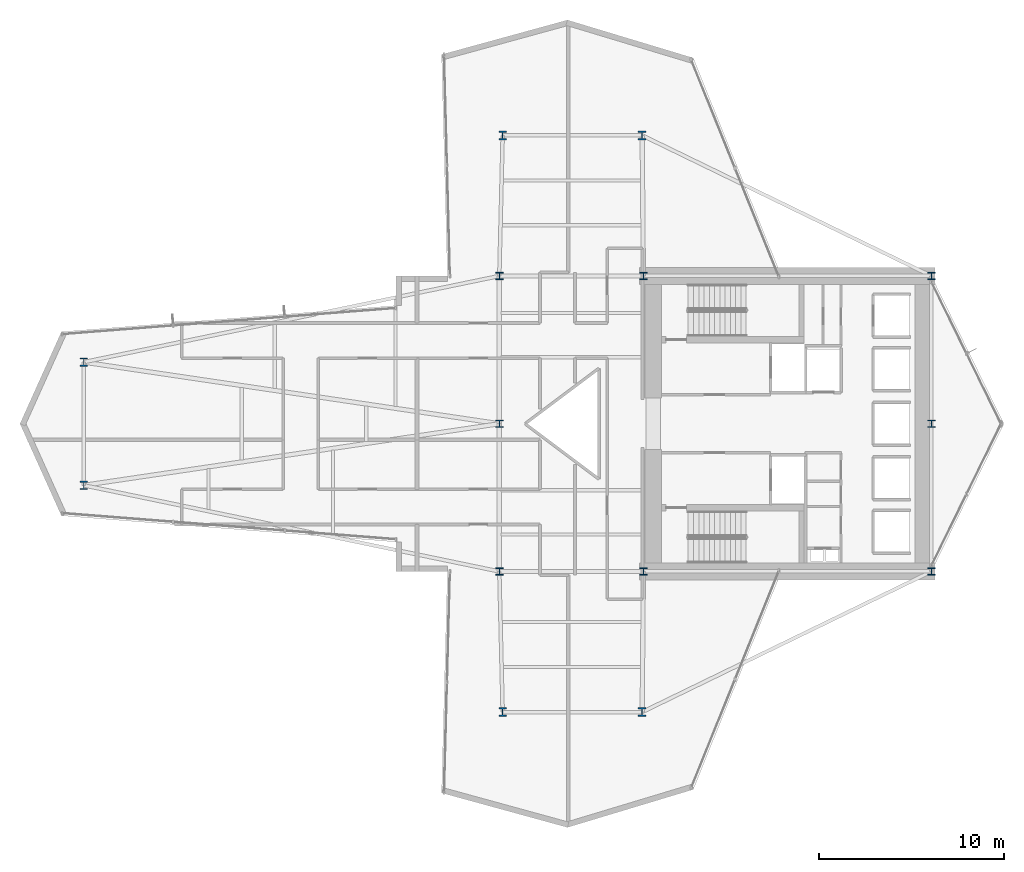
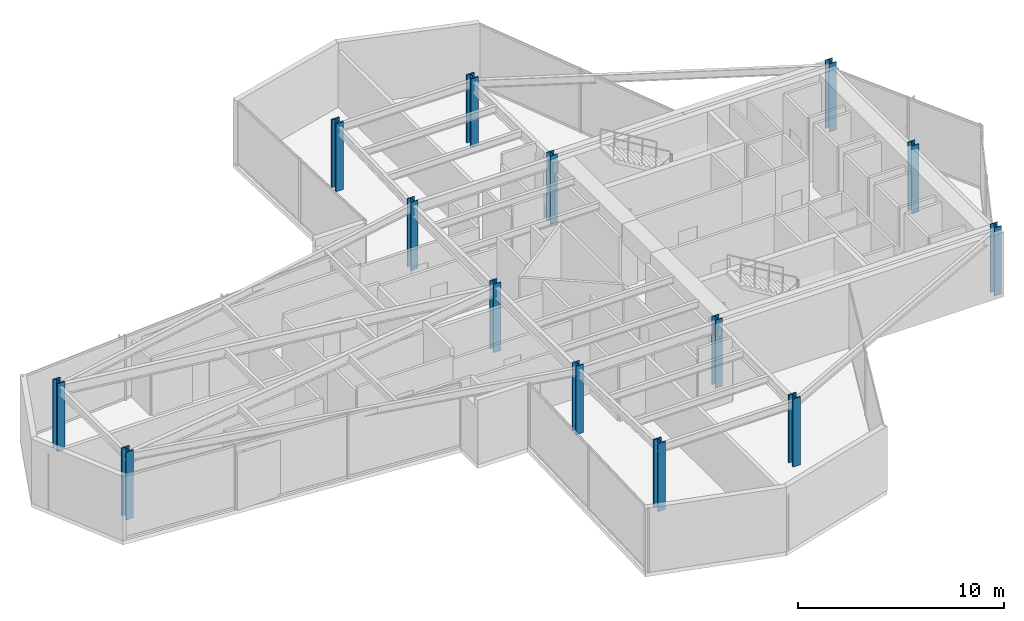
# One storey, part 1 of 30: 14 columns.
"""IFC4 building model written with IfcOpenShell, lengths in metres."""

import ifcopenshell
import ifcopenshell.guid

model = None  # the IFC model being written
_history = None  # IfcOwnerHistory: only IFC2X3 demands one
_inside = {}  # id of a spatial element -> (the spatial element, [elements in it])
_under = {}  # id of a project, library or spatial element -> (it, [spatial elements below it])
_declared = {}  # id of a project -> (the project, [libraries it declares])
_typed = {}  # id of a type object -> (the type object, [elements of that type])
_made_of = {}  # id of a material, layer set ... -> (it, [elements and type objects made of it])


def new_model(schema):
    """Start an empty IFC model of exactly this schema.

    Asked for "IFC4X3", IfcOpenShell would pick the latest addendum, in which some entities
    have other attributes; the version numbers below select the first issue.
    IFC2X3 requires an IfcOwnerHistory on every rooted entity: one is made here for all.
    """
    global model, _history
    if schema == "IFC4X3":
        model = ifcopenshell.file(schema_version=(4, 3, 0, 0))
    else:
        model = ifcopenshell.file(schema=schema)
    _inside.clear()
    _under.clear()
    _declared.clear()
    _typed.clear()
    _made_of.clear()
    _history = None
    if model.schema == "IFC2X3":
        org = make("IfcOrganization", Name="unknown")
        user = make(
            "IfcPersonAndOrganization",
            ThePerson=make("IfcPerson", FamilyName="unknown"),
            TheOrganization=org,
        )
        app = make(
            "IfcApplication",
            ApplicationDeveloper=org,
            Version="unknown",
            ApplicationFullName="unknown",
            ApplicationIdentifier="unknown",
        )
        _history = make(
            "IfcOwnerHistory",
            OwningUser=user,
            OwningApplication=app,
            ChangeAction="ADDED",
            CreationDate=0,
        )
    return model


def make(cls, **values):
    """One entity of the class cls with the attributes given. An attribute that is None is left unset."""
    return model.create_entity(
        cls, **{name: value for name, value in values.items() if value is not None}
    )


def rooted(cls, **values):
    """An entity with a GlobalId (a new one), such as an element, a storey or a relation."""
    return make(cls, GlobalId=ifcopenshell.guid.new(), OwnerHistory=_history, **values)


def si_unit(unit_type, name, prefix=None):
    """IfcSIUnit, for example si_unit("LENGTHUNIT", "METRE", prefix="MILLI")."""
    return make("IfcSIUnit", UnitType=unit_type, Prefix=prefix, Name=name)


def assignment(units):
    """IfcUnitAssignment: the units of a project."""
    return None if units is None else make("IfcUnitAssignment", Units=units)


def point(xyz):
    """IfcCartesianPoint."""
    return None if xyz is None else make("IfcCartesianPoint", Coordinates=xyz)


def direction(xyz):
    """IfcDirection."""
    return None if xyz is None else make("IfcDirection", DirectionRatios=xyz)


def frame(location, z_axis=None, x_axis=None):
    """IfcAxis2Placement3D, a coordinate frame: its origin and axes. An axis left out is left unset."""
    return make(
        "IfcAxis2Placement3D",
        Location=point(location),
        Axis=direction(z_axis),
        RefDirection=direction(x_axis),
    )


def frame_2d(location, x_axis=None):
    """IfcAxis2Placement2D, a coordinate frame in the plane: its origin and x axis."""
    return make(
        "IfcAxis2Placement2D", Location=point(location), RefDirection=direction(x_axis)
    )


def origin():
    """The frame at (0, 0, 0) with its axes left unset."""
    return frame((0.0, 0.0, 0.0))


def origin_2d():
    """The frame at (0, 0) in the plane with its x axis left unset."""
    return frame_2d((0.0, 0.0))


def place(relative_to, where):
    """IfcLocalPlacement: puts the frame where relative to a parent placement (None: the world)."""
    return make(
        "IfcLocalPlacement", PlacementRelTo=relative_to, RelativePlacement=where
    )


def context(
    kind, dimensions, precision=None, world=None, true_north=None, identifier=None
):
    """IfcGeometricRepresentationContext, for example the 3D "Model" context."""
    return make(
        "IfcGeometricRepresentationContext",
        ContextIdentifier=identifier,
        ContextType=kind,
        CoordinateSpaceDimension=dimensions,
        Precision=precision,
        WorldCoordinateSystem=world,
        TrueNorth=true_north,
    )


def subcontext(parent, identifier, kind, view, scale=None):
    """IfcGeometricRepresentationSubContext, for example "Body" below "Model"."""
    return make(
        "IfcGeometricRepresentationSubContext",
        ContextIdentifier=identifier,
        ContextType=kind,
        ParentContext=parent,
        TargetScale=scale,
        TargetView=view,
    )


def project(units=None, contexts=None):
    """IfcProject with its units and contexts."""
    return rooted(
        "IfcProject",
        Name="project",
        RepresentationContexts=contexts,
        UnitsInContext=assignment(units),
    )


def spatial(cls, under=None, at=None, **own):
    """A site, building, storey or space (cls), placed at a placement, below another one or the project."""
    s = rooted(cls, ObjectPlacement=at, **own)
    if under is not None:
        _under.setdefault(under.id(), (under, []))[1].append(s)
    return s


def profile(cls, at=None, kind="AREA", **sizes):
    """A parametric profile (cls). Its sizes go by their IFC names, for example OverallWidth=200.0."""
    return make(cls, ProfileType=kind, Position=at, **sizes)


def i_section(**sizes):
    """IfcIShapeProfileDef."""
    return profile("IfcIShapeProfileDef", **sizes)


def extrude(swept, where, along, depth):
    """IfcExtrudedAreaSolid: the profile swept, set in the frame where, extruded along a direction by depth."""
    return make(
        "IfcExtrudedAreaSolid",
        SweptArea=swept,
        Position=where,
        ExtrudedDirection=direction(along),
        Depth=depth,
    )


def shape(context_of_items, identifier, shape_type, items):
    """IfcShapeRepresentation: the items that make up one representation, for example the "Body"."""
    return make(
        "IfcShapeRepresentation",
        ContextOfItems=context_of_items,
        RepresentationIdentifier=identifier,
        RepresentationType=shape_type,
        Items=items,
    )


def material(Name=None, Category=None):
    """IfcMaterial."""
    return make("IfcMaterial", Name=Name, Category=Category)


def material_profile(
    of_material, cross_section, Name=None, Category=None, Priority=None
):
    """IfcMaterialProfile: a cross section and its material."""
    return make(
        "IfcMaterialProfile",
        Name=Name,
        Material=of_material,
        Profile=cross_section,
        Priority=Priority,
        Category=Category,
    )


def profile_set(profiles, Name=None, composite=None):
    """IfcMaterialProfileSet."""
    return make(
        "IfcMaterialProfileSet",
        Name=Name,
        MaterialProfiles=profiles,
        CompositeProfile=composite,
    )


def made_of(thing, what):
    """Note that an element or type object is made of a material, layer set ...; save() writes the relation."""
    if what is not None:
        _made_of.setdefault(what.id(), (what, []))[1].append(thing)
    return thing


def type_object(cls, material=None, **own):
    """A type object (cls), such as IfcWallType, which elements share."""
    return made_of(rooted(cls, **own), material)


def element(
    cls,
    number,
    at=None,
    inside=None,
    cuts=None,
    type_object=None,
    material=None,
    context=None,
    identifier="Body",
    shape_type=None,
    held_by="IfcProductDefinitionShape",
    body=None,
    shapes=None,
    **own,
):
    """One element of the class cls, such as IfcWall. Its Tag is "e" and its number.

    at: its placement. inside: the storey or other place that contains it. cuts: it is an
    opening in that element (IfcRelVoidsElement). A single representation is given by context,
    identifier, shape_type and body (its items); several are given by shapes. held_by: the class
    of the entity that holds the representations. save() writes the other relations.
    """
    e = rooted(cls, Tag="e%d" % number, ObjectPlacement=at, **own)
    if body is not None:
        shapes = [shape(context, identifier, shape_type, body)]
    if shapes is not None:
        e.Representation = make(held_by, Representations=shapes)
    if inside is not None:
        _inside.setdefault(inside.id(), (inside, []))[1].append(e)
    if cuts is not None:
        rooted(
            "IfcRelVoidsElement", RelatingBuildingElement=cuts, RelatedOpeningElement=e
        )
    if type_object is not None:
        _typed.setdefault(type_object.id(), (type_object, []))[1].append(e)
    return made_of(e, material)


def aggregate(whole, parts):
    """IfcRelAggregates: a whole, such as a stair, and the parts it consists of."""
    return rooted("IfcRelAggregates", RelatingObject=whole, RelatedObjects=parts)


def save(model, path):
    """Write the relations noted so far, then the file.

    IfcRelAggregates (storeys below a building ...), IfcRelContainedInSpatialStructure (elements
    in a storey), IfcRelDefinesByType, IfcRelAssociatesMaterial and IfcRelDeclares: one each for
    every whole, place, type object, material and project.
    """
    for whole, parts in _under.values():
        aggregate(whole, parts)
    for where, things in _inside.values():
        rooted(
            "IfcRelContainedInSpatialStructure",
            RelatedElements=things,
            RelatingStructure=where,
        )
    for kind, things in _typed.values():
        rooted("IfcRelDefinesByType", RelatedObjects=things, RelatingType=kind)
    for what, things in _made_of.values():
        rooted("IfcRelAssociatesMaterial", RelatedObjects=things, RelatingMaterial=what)
    for by, libraries in _declared.values():
        rooted("IfcRelDeclares", RelatingContext=by, RelatedDefinitions=libraries)
    model.write(path)


model = new_model("IFC4")

# Units and contexts
model_context = context("Model", 3, precision=1e-05, world=origin(), true_north=direction((0.0, 1.0)))
body_context = subcontext(model_context, "Body", "Model", "MODEL_VIEW")
ifc_project = project(units=[si_unit("LENGTHUNIT", "METRE"), si_unit("AREAUNIT", "SQUARE_METRE"), si_unit("VOLUMEUNIT", "CUBIC_METRE"), si_unit("PLANEANGLEUNIT", "RADIAN"), si_unit("MASSUNIT", "GRAM", prefix="KILO")], contexts=[model_context])

# Site, building, storey
site_placement = place(None, origin())
site = spatial("IfcSite", under=ifc_project, at=site_placement, CompositionType="ELEMENT")
building_placement = place(site_placement, origin())
building = spatial("IfcBuilding", under=site, at=building_placement, Name="Veymaron Broadcast Tower", CompositionType="ELEMENT")
storey_placement = place(building_placement, frame((0.0, 0.0, 66.14990234375)))
storey = spatial("IfcBuildingStorey", under=building, at=storey_placement, Name="L14", CompositionType="ELEMENT", Elevation=66.14990234375)

# Columns
ifc_material = material(Name="Structural steel ASTM A913 Gr 65", Category="steel")
ifc_material_profile_1 = material_profile(ifc_material, i_section(OverallWidth=0.40087890625, OverallDepth=0.39892578125, WebThickness=0.02490234375, FlangeThickness=0.03955078125, at=origin_2d()), Name="W360X314")
ifc_profile_set_1 = profile_set([ifc_material_profile_1], Name="Structural steel ASTM A913 Gr 65")
column_type_1 = type_object("IfcColumnType", Name="COL-HC1", PredefinedType="COLUMN", material=ifc_profile_set_1)
for number, where, z_axis, x_axis, name in (
    (1, (31.199951171875, 16.0, 0.0), (0.0, 0.0, 1.0), (1.0, 0.0, 0.0), "L14 structural hub and core column"),
    (2, (31.199951171875, 24.0, 0.0), (0.0, 0.0, 1.0), (1.0, 0.0, 0.0), "L14 structural hub and core column"),
    (3, (31.199951171875, 32.0, 0.0), (0.0, 0.0, 1.0), (1.0, 0.0, 0.0), "L14 structural hub and core column"),
    (4, (39.0, 16.0, 0.0), (0.0, 0.0, 1.0), (1.0, 0.0, 0.0), "L14 structural hub and core column"),
    (5, (39.0, 32.0, 0.0), (0.0, 0.0, 1.0), (1.0, 0.0, 0.0), "L14 structural hub and core column"),
    (6, (54.60009765625, 16.0, 0.0), (0.0, 0.0, 1.0), (1.0, 0.0, 0.0), "L14 structural hub and core column"),
    (7, (54.60009765625, 24.0, 0.0), (0.0, 0.0, 1.0), (1.0, 0.0, 0.0), "L14 structural hub and core column"),
    (8, (54.60009765625, 32.0, 0.0), (0.0, 0.0, 1.0), (1.0, 0.0, 0.0), "L14 structural hub and core column"),
):
    element("IfcColumn", number, at=place(storey_placement, frame(where, z_axis=z_axis, x_axis=x_axis)), inside=storey, type_object=column_type_1, Name=name, PredefinedType="COLUMN", context=body_context, shape_type="SweptSolid", body=[
        extrude(i_section(OverallWidth=0.40087890625, OverallDepth=0.39892578125, WebThickness=0.02490234375, FlangeThickness=0.03955078125, at=origin_2d()), origin(), (0.0, 0.0, 1.0), 4.044189453125),
    ])
ifc_material_profile_2 = material_profile(ifc_material, i_section(OverallWidth=0.424072265625, OverallDepth=0.47412109375, WebThickness=0.047607421875, FlangeThickness=0.076904296875, at=origin_2d()), Name="W360X634")
ifc_profile_set_2 = profile_set([ifc_material_profile_2], Name="Structural steel ASTM A913 Gr 65")
column_type_2 = type_object("IfcColumnType", Name="COL-MC1", PredefinedType="COLUMN", material=ifc_profile_set_2)
for number, where, z_axis, x_axis, name in (
    (9, (8.697021484375, 20.6650390625, 0.01611328125), (0.0, 0.0, 1.0), (1.0, 0.0, 0.0), "L14 Tapered Wing Mega Column"),
    (10, (8.697021484375, 27.3349609375, 0.01611328125), (0.0, 0.0, 1.0), (1.0, 0.0, 0.0), "L14 Tapered Wing Mega Column"),
    (11, (31.382080078125, 39.610107421875, 0.01611328125), (0.0, 0.0, 1.0), (1.0, 0.0, 0.0), "L14 Tapered Wing Mega Column"),
    (12, (38.93505859375, 39.610107421875, 0.01611328125), (0.0, 0.0, 1.0), (1.0, 0.0, 0.0), "L14 Tapered Wing Mega Column"),
    (13, (31.382080078125, 8.389892578125, 0.01611328125), (0.0, 0.0, 1.0), (1.0, 0.0, 0.0), "L14 Tapered Wing Mega Column"),
    (14, (38.93505859375, 8.389892578125, 0.01611328125), (0.0, 0.0, 1.0), (1.0, 0.0, 0.0), "L14 Tapered Wing Mega Column"),
):
    element("IfcColumn", number, at=place(storey_placement, frame(where, z_axis=z_axis, x_axis=x_axis)), inside=storey, type_object=column_type_2, Name=name, PredefinedType="COLUMN", context=body_context, shape_type="SweptSolid", body=[
        extrude(i_section(OverallWidth=0.424072265625, OverallDepth=0.47412109375, WebThickness=0.047607421875, FlangeThickness=0.076904296875, at=origin_2d()), origin(), (0.0, 0.0, 1.0), 4.01806640625),
    ])

save(model, "model.ifc")
